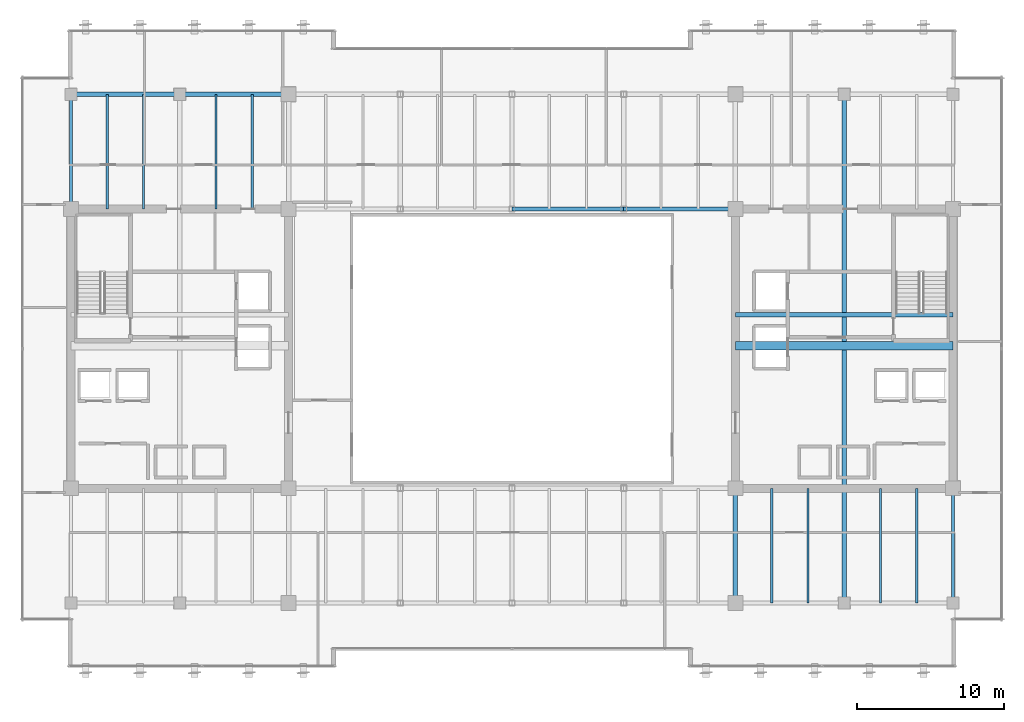
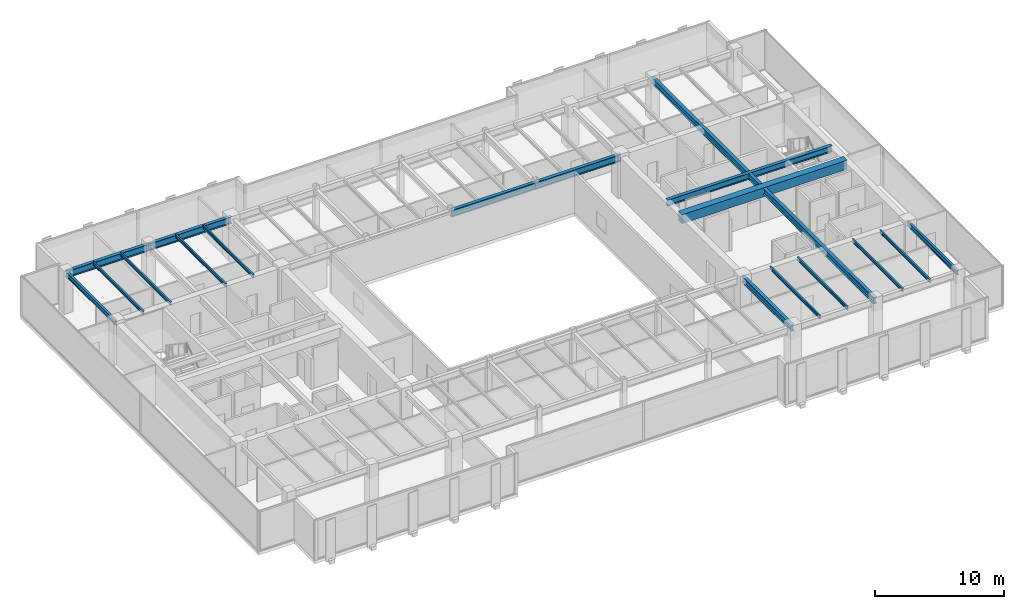
# One storey, part 14 of 35: 18 beams.
"""IFC4 building model written with IfcOpenShell, lengths in metres."""

from ifc_helpers import new_model, si_unit, direction, frame, origin, origin_2d, place, context, subcontext, project, spatial, rectangle, i_section, extrude, source, transform, mapped, material, material_profile, profile_set, type_object, type_shapes, element, save


model = new_model("IFC4")

# Units and contexts
model_context = context("Model", 3, precision=1e-05, world=origin(), true_north=direction((0.0, 1.0)))
body_context = subcontext(model_context, "Body", "Model", "MODEL_VIEW")
ifc_project = project(units=[si_unit("LENGTHUNIT", "METRE"), si_unit("AREAUNIT", "SQUARE_METRE"), si_unit("VOLUMEUNIT", "CUBIC_METRE"), si_unit("PLANEANGLEUNIT", "RADIAN"), si_unit("MASSUNIT", "GRAM", prefix="KILO")], contexts=[model_context])

# Site, building, storey
site_placement = place(None, origin())
site = spatial("IfcSite", under=ifc_project, at=site_placement, CompositionType="ELEMENT")
building_placement = place(site_placement, origin())
building = spatial("IfcBuilding", under=site, at=building_placement, Name="Haelvirn Gate Laboratories", CompositionType="ELEMENT")
storey_placement = place(building_placement, frame((0.0, 0.0, 201.39990234375)))
storey = spatial("IfcBuildingStorey", under=building, at=storey_placement, Name="L48", CompositionType="ELEMENT", Elevation=201.39990234375)

# Beams
ifc_material_1 = material(Name="Steel SM355", Category="steel")
ifc_material_profile_1 = material_profile(ifc_material_1, i_section(OverallWidth=0.300048828125, OverallDepth=0.587890625, WebThickness=0.011962890625, FlangeThickness=0.02001953125, at=origin_2d()), Name="H-588x300x12x20")
ifc_profile_set_1 = profile_set([ifc_material_profile_1], Name="Steel SM355")
beam_type_1 = type_object("IfcBeamType", Name="BM-G-588", PredefinedType="BEAM", material=ifc_profile_set_1)
shared_shape_1 = source(origin(), body_context, "Body", "SweptSolid", [
    extrude(i_section(OverallWidth=0.300048828125, OverallDepth=0.587890625, WebThickness=0.011962890625, FlangeThickness=0.02001953125, at=origin_2d()), origin(), (0.0, 0.0, 1.0), 14.7998046875),
])
beam_1_placement = place(storey_placement, frame((52.60009765625, 26.6201171875, 3.506103515625), z_axis=(1.0, 0.0, 0.0), x_axis=(0.0, 1.0, 0.0)))
element("IfcBeam", 1, at=beam_1_placement, inside=storey, type_object=beam_type_1, Name="L48 Stair ST2 Landing Header", PredefinedType="BEAM", context=body_context, shape_type="MappedRepresentation", body=[
    mapped(shared_shape_1, transform((0.0, 0.0, 0.0), scale=1.0)),
])
ifc_material_profile_2 = material_profile(ifc_material_1, i_section(OverallWidth=0.14990234375, OverallDepth=0.300048828125, WebThickness=0.006591796875, FlangeThickness=0.009033203125, at=origin_2d()), Name="H-300x150x6.5x9")
ifc_profile_set_2 = profile_set([ifc_material_profile_2], Name="Steel SM355")
beam_type_2 = type_object("IfcBeamType", Name="BM-J-300", PredefinedType="JOIST", material=ifc_profile_set_2)
shared_shape_2 = source(origin(), body_context, "Body", "SweptSolid", [
    extrude(i_section(OverallWidth=0.14990234375, OverallDepth=0.300048828125, WebThickness=0.006591796875, FlangeThickness=0.009033203125, at=origin_2d()), origin(), (0.0, 0.0, 1.0), 7.800048828125),
])
type_shapes(beam_type_2, [shared_shape_2])
for number, where, z_axis, x_axis, name in (
    (2, (9.8701171875, 33.800048828125, 3.650146484375), (0.0, 1.0, 0.0), (-1.0, 0.0, 0.0), "L48 Composite Lab Joist North X9.87"),
    (3, (12.330078125, 33.800048828125, 3.650146484375), (0.0, 1.0, 0.0), (-1.0, 0.0, 0.0), "L48 Composite Lab Joist North X12.33"),
    (4, (17.27001953125, 33.800048828125, 3.650146484375), (0.0, 1.0, 0.0), (-1.0, 0.0, 0.0), "L48 Composite Lab Joist North X17.27"),
    (5, (19.72998046875, 33.800048828125, 3.650146484375), (0.0, 1.0, 0.0), (-1.0, 0.0, 0.0), "L48 Composite Lab Joist North X19.73"),
    (6, (55.070068359375, 7.0, 3.650146484375), (0.0, 1.0, 0.0), (-1.0, 0.0, 0.0), "L48 Composite Lab Joist South X55.07"),
    (7, (57.530029296875, 7.0, 3.650146484375), (0.0, 1.0, 0.0), (-1.0, 0.0, 0.0), "L48 Composite Lab Joist South X57.53"),
    (8, (62.469970703125, 7.0, 3.650146484375), (0.0, 1.0, 0.0), (-1.0, 0.0, 0.0), "L48 Composite Lab Joist South X62.47"),
    (9, (64.929931640625, 7.0, 3.650146484375), (0.0, 1.0, 0.0), (-1.0, 0.0, 0.0), "L48 Composite Lab Joist South X64.93"),
):
    element("IfcBeam", number, at=place(storey_placement, frame(where, z_axis=z_axis, x_axis=x_axis)), inside=storey, type_object=beam_type_2, Name=name, PredefinedType="JOIST", context=body_context, shape_type="MappedRepresentation", body=[
        mapped(shared_shape_2, transform((0.0, 0.0, 0.0), scale=1.0)),
    ])
shared_shape_3 = source(origin(), body_context, "Body", "SweptSolid", [
    extrude(i_section(OverallWidth=0.300048828125, OverallDepth=0.587890625, WebThickness=0.011962890625, FlangeThickness=0.02001953125, at=origin_2d()), origin(), (0.0, 0.0, 1.0), 34.60009765625),
])
beam_2_placement = place(storey_placement, frame((60.0, 7.0, 3.506103515625), z_axis=(0.0, 1.0, 0.0), x_axis=(-1.0, 0.0, 0.0)))
element("IfcBeam", 10, at=beam_2_placement, inside=storey, type_object=beam_type_1, Name="L48 Frame Girder X60.0 (7.0-41.6)", PredefinedType="BEAM", context=body_context, shape_type="MappedRepresentation", body=[
    mapped(shared_shape_3, transform((0.0, 0.0, 0.0), scale=1.0)),
])
shared_shape_4 = source(origin(), body_context, "Body", "SweptSolid", [
    extrude(i_section(OverallWidth=0.300048828125, OverallDepth=0.587890625, WebThickness=0.011962890625, FlangeThickness=0.02001953125, at=origin_2d()), origin(), (0.0, 0.0, 1.0), 7.800048828125),
])
type_shapes(beam_type_1, [shared_shape_1, shared_shape_3, shared_shape_4])
beam_3_placement = place(storey_placement, frame((52.60009765625, 7.0, 3.506103515625), z_axis=(0.0, 1.0, 0.0), x_axis=(-1.0, 0.0, 0.0)))
element("IfcBeam", 11, at=beam_3_placement, inside=storey, type_object=beam_type_1, Name="L48 Frame Girder X52.6 (7.0-14.8)", PredefinedType="BEAM", context=body_context, shape_type="MappedRepresentation", body=[
    mapped(shared_shape_4, transform((0.0, 0.0, 0.0), scale=1.0)),
])
ifc_material_2 = material(Name="Concrete C50/60", Category="concrete")
ifc_material_profile_3 = material_profile(ifc_material_2, rectangle(XDim=0.60009765625, YDim=0.85009765625, at=origin_2d()), Name="RCB-600x850")
ifc_profile_set_3 = profile_set([ifc_material_profile_3], Name="Concrete C50/60")
beam_type_3 = type_object("IfcBeamType", Name="BM-RCB-850", PredefinedType="LINTEL", material=ifc_profile_set_3)
shared_shape_5 = source(origin(), body_context, "Body", "SweptSolid", [
    extrude(rectangle(XDim=0.60009765625, YDim=0.85009765625, at=origin_2d()), origin(), (0.0, 0.0, 1.0), 14.7998046875),
])
type_shapes(beam_type_3, [shared_shape_5])
beam_4_placement = place(storey_placement, frame((52.60009765625, 24.5, 3.375), z_axis=(1.0, 0.0, 0.0), x_axis=(0.0, 1.0, 0.0)))
element("IfcBeam", 12, at=beam_4_placement, inside=storey, type_object=beam_type_3, Name="L48 East Core Coupling Beam", PredefinedType="LINTEL", context=body_context, shape_type="MappedRepresentation", body=[
    mapped(shared_shape_5, transform((0.0, 0.0, 0.0), scale=1.0)),
])
ifc_material_profile_4 = material_profile(ifc_material_1, i_section(OverallWidth=0.300048828125, OverallDepth=0.64990234375, WebThickness=0.012939453125, FlangeThickness=0.02197265625, at=origin_2d()), Name="H-650x300x13x22")
ifc_profile_set_4 = profile_set([ifc_material_profile_4], Name="Steel SM355")
beam_type_4 = type_object("IfcBeamType", Name="BM-G-650", PredefinedType="BEAM", material=ifc_profile_set_4)
shared_shape_6 = source(origin(), body_context, "Body", "SweptSolid", [
    extrude(i_section(OverallWidth=0.300048828125, OverallDepth=0.64990234375, WebThickness=0.012939453125, FlangeThickness=0.02197265625, at=origin_2d()), origin(), (0.0, 0.0, 1.0), 7.400146484375),
])
beam_5_placement = place(storey_placement, frame((7.39990234375, 41.60009765625, 3.47509765625), z_axis=(1.0, 0.0, 0.0), x_axis=(0.0, 1.0, 0.0)))
element("IfcBeam", 13, at=beam_5_placement, inside=storey, type_object=beam_type_4, Name="L48 Primary Girder Y41.6 (7.4-14.8)", PredefinedType="BEAM", context=body_context, shape_type="MappedRepresentation", body=[
    mapped(shared_shape_6, transform((0.0, 0.0, 0.0), scale=1.0)),
])
shared_shape_7 = source(origin(), body_context, "Body", "SweptSolid", [
    extrude(i_section(OverallWidth=0.300048828125, OverallDepth=0.64990234375, WebThickness=0.012939453125, FlangeThickness=0.02197265625, at=origin_2d()), origin(), (0.0, 0.0, 1.0), 7.39990234375),
])
beam_6_placement = place(storey_placement, frame((14.800048828125, 41.60009765625, 3.47509765625), z_axis=(1.0, 0.0, 0.0), x_axis=(0.0, 1.0, 0.0)))
element("IfcBeam", 14, at=beam_6_placement, inside=storey, type_object=beam_type_4, Name="L48 Primary Girder Y41.6 (14.8-22.2)", PredefinedType="BEAM", context=body_context, shape_type="MappedRepresentation", body=[
    mapped(shared_shape_7, transform((0.0, 0.0, 0.0), scale=1.0)),
])
shared_shape_8 = source(origin(), body_context, "Body", "SweptSolid", [
    extrude(i_section(OverallWidth=0.300048828125, OverallDepth=0.64990234375, WebThickness=0.012939453125, FlangeThickness=0.02197265625, at=origin_2d()), origin(), (0.0, 0.0, 1.0), 7.60009765625),
])
type_shapes(beam_type_4, [shared_shape_6, shared_shape_7, shared_shape_8])
for number, where, z_axis, x_axis, name in (
    (15, (37.39990234375, 33.800048828125, 3.47509765625), (1.0, 0.0, 0.0), (0.0, 1.0, 0.0), "L48 Primary Girder Y33.8 (37.4-45.0)"),
    (16, (45.0, 33.800048828125, 3.47509765625), (1.0, 0.0, 0.0), (0.0, 1.0, 0.0), "L48 Primary Girder Y33.8 (45.0-52.6)"),
):
    element("IfcBeam", number, at=place(storey_placement, frame(where, z_axis=z_axis, x_axis=x_axis)), inside=storey, type_object=beam_type_4, Name=name, PredefinedType="BEAM", context=body_context, shape_type="MappedRepresentation", body=[
        mapped(shared_shape_8, transform((0.0, 0.0, 0.0), scale=1.0)),
    ])
ifc_material_profile_5 = material_profile(ifc_material_1, i_section(OverallWidth=0.199951171875, OverallDepth=0.449951171875, WebThickness=0.009033203125, FlangeThickness=0.013916015625, at=origin_2d()), Name="H-450x200x9x14")
ifc_profile_set_5 = profile_set([ifc_material_profile_5], Name="Steel SM355")
beam_type_5 = type_object("IfcBeamType", Name="BM-SP-450", PredefinedType="SPANDREL", material=ifc_profile_set_5)
shared_shape_9 = source(origin(), body_context, "Body", "SweptSolid", [
    extrude(i_section(OverallWidth=0.199951171875, OverallDepth=0.449951171875, WebThickness=0.009033203125, FlangeThickness=0.013916015625, at=origin_2d()), origin(), (0.0, 0.0, 1.0), 7.800048828125),
])
type_shapes(beam_type_5, [shared_shape_9])
for number, where, z_axis, x_axis, name in (
    (17, (7.39990234375, 33.800048828125, 3.5751953125), (0.0, 1.0, 0.0), (-1.0, 0.0, 0.0), "L48 Perimeter Spandrel X7.4 (33.8-41.6)"),
    (18, (67.39990234375, 7.0, 3.5751953125), (0.0, 1.0, 0.0), (-1.0, 0.0, 0.0), "L48 Perimeter Spandrel X67.4 (7.0-14.8)"),
):
    element("IfcBeam", number, at=place(storey_placement, frame(where, z_axis=z_axis, x_axis=x_axis)), inside=storey, type_object=beam_type_5, Name=name, PredefinedType="SPANDREL", context=body_context, shape_type="MappedRepresentation", body=[
        mapped(shared_shape_9, transform((0.0, 0.0, 0.0), scale=1.0)),
    ])

save(model, "model.ifc")
